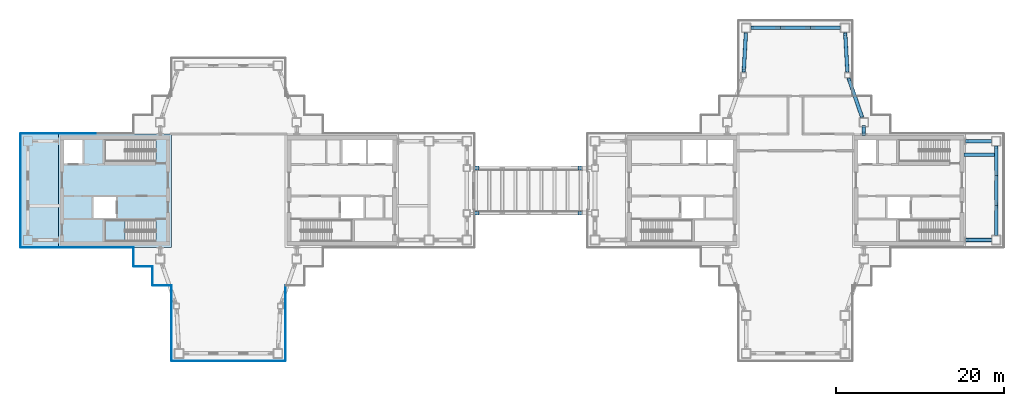
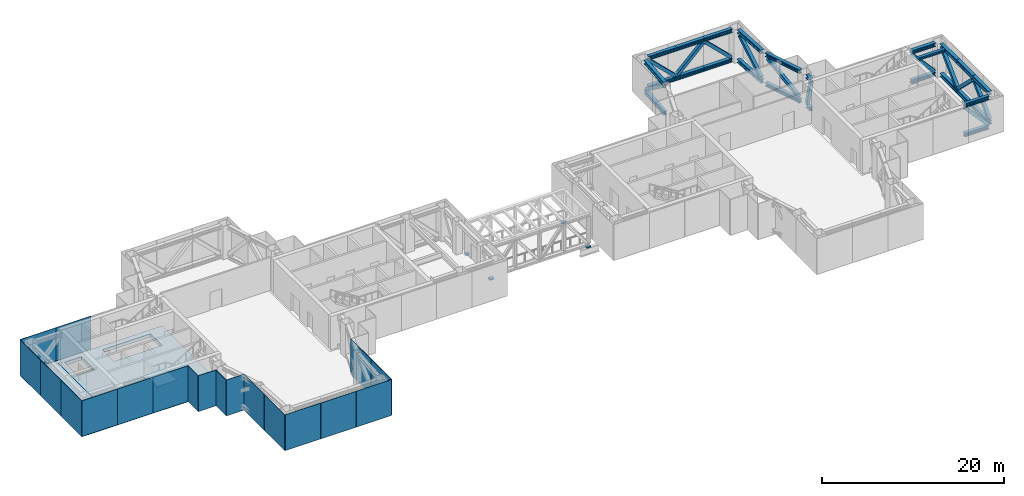
# One storey, part 7 of 21: 40 members, 19 plates, 3 slabs, 1 beam, 10 elements without a shape of their own.
"""IFC4 building model written with IfcOpenShell, lengths in metres."""

from ifc_helpers import new_model, si_unit, direction, frame, origin, origin_2d, place, context, subcontext, project, spatial, polyline, rectangle, hollow_rectangle, i_section, outline, extrude, material, layer, layer_set, material_profile, profile_set, type_object, element, aggregate, save


model = new_model("IFC4")

# Units and contexts
model_context = context("Model", 3, precision=1e-05, world=origin(), true_north=direction((0.0, 1.0)))
body_context = subcontext(model_context, "Body", "Model", "MODEL_VIEW")
ifc_project = project(units=[si_unit("LENGTHUNIT", "METRE"), si_unit("AREAUNIT", "SQUARE_METRE"), si_unit("VOLUMEUNIT", "CUBIC_METRE"), si_unit("PLANEANGLEUNIT", "RADIAN"), si_unit("MASSUNIT", "GRAM", prefix="KILO")], contexts=[model_context])

# Site, building, storey
site_placement = place(None, origin())
site = spatial("IfcSite", under=ifc_project, at=site_placement, CompositionType="ELEMENT")
building_placement = place(site_placement, origin())
building = spatial("IfcBuilding", under=site, at=building_placement, Name="Shamsa Quay Exchange Towers", CompositionType="ELEMENT")
storey_placement = place(building_placement, frame((0.0, 0.0, 177.89990234375)))
storey = spatial("IfcBuildingStorey", under=building, at=storey_placement, Name="L42", CompositionType="ELEMENT", Elevation=177.89990234375)

# Members
ifc_material_1 = material(Name="Steel S355", Category="steel")
ifc_material_profile_1 = material_profile(ifc_material_1, i_section(OverallWidth=0.43212890625, OverallDepth=0.497802734375, WebThickness=0.0556640625, FlangeThickness=0.0888671875, at=origin_2d()), Name="W14x500")
ifc_profile_set_1 = profile_set([ifc_material_profile_1], Name="Steel S355")
member_type_1 = type_object("IfcMemberType", Name="Belt chord W14x500", PredefinedType="CHORD", material=ifc_profile_set_1)
for number, where, z_axis, x_axis, name in (
    (1, (57.625, -5.324951171875, 4.201171875), (0.0, 1.0, 0.0), (-1.0, 0.0, 0.0), "Belt truss chord T2 L42 10"),
    (2, (57.625, -5.324951171875, 0.2490234375), (0.0, 1.0, 0.0), (-1.0, 0.0, 0.0), "Belt truss chord T2 L42 10"),
):
    element("IfcMember", number, at=place(storey_placement, frame(where, z_axis=z_axis, x_axis=x_axis)), inside=storey, type_object=member_type_1, Name=name, PredefinedType="CHORD", context=body_context, shape_type="SweptSolid", body=[
        extrude(i_section(OverallWidth=0.43212890625, OverallDepth=0.497802734375, WebThickness=0.0556640625, FlangeThickness=0.0888671875, at=origin_2d()), origin(), (0.0, 0.0, 1.0), 3.550048828125),
    ])
for number, where, z_axis, x_axis, name in (
    (3, (57.625, -1.77490234375, 4.201171875), (0.0, 1.0, 0.0), (-1.0, 0.0, 0.0), "Belt truss chord T2 L42 10"),
    (4, (57.625, -1.77490234375, 0.2490234375), (0.0, 1.0, 0.0), (-1.0, 0.0, 0.0), "Belt truss chord T2 L42 10"),
):
    element("IfcMember", number, at=place(storey_placement, frame(where, z_axis=z_axis, x_axis=x_axis)), inside=storey, type_object=member_type_1, Name=name, PredefinedType="CHORD", context=body_context, shape_type="SweptSolid", body=[
        extrude(i_section(OverallWidth=0.43212890625, OverallDepth=0.497802734375, WebThickness=0.0556640625, FlangeThickness=0.0888671875, at=origin_2d()), origin(), (0.0, 0.0, 1.0), 3.5498046875),
    ])
for number, where, z_axis, x_axis, name in (
    (5, (57.625, 1.77490234375, 4.201171875), (0.0, 1.0, 0.0), (-1.0, 0.0, 0.0), "Belt truss chord T2 L42 10"),
    (6, (57.625, 1.77490234375, 0.2490234375), (0.0, 1.0, 0.0), (-1.0, 0.0, 0.0), "Belt truss chord T2 L42 10"),
):
    element("IfcMember", number, at=place(storey_placement, frame(where, z_axis=z_axis, x_axis=x_axis)), inside=storey, type_object=member_type_1, Name=name, PredefinedType="CHORD", context=body_context, shape_type="SweptSolid", body=[
        extrude(i_section(OverallWidth=0.43212890625, OverallDepth=0.497802734375, WebThickness=0.0556640625, FlangeThickness=0.0888671875, at=origin_2d()), origin(), (0.0, 0.0, 1.0), 3.550048828125),
    ])
for number, where, z_axis, x_axis, name in (
    (7, (41.685546875, 8.675048828125, 4.201171875), (-0.325644702395, 0.945492214565, 0.0), (-0.945492214565, -0.325644702395, 0.0), "Belt truss chord T2 L42 13"),
    (8, (41.685546875, 8.675048828125, 0.2490234375), (-0.325644702395, 0.945492214565, 0.0), (-0.945492214565, -0.325644702395, 0.0), "Belt truss chord T2 L42 13"),
):
    element("IfcMember", number, at=place(storey_placement, frame(where, z_axis=z_axis, x_axis=x_axis)), inside=storey, type_object=member_type_1, Name=name, PredefinedType="CHORD", context=body_context, shape_type="SweptSolid", body=[
        extrude(i_section(OverallWidth=0.43212890625, OverallDepth=0.497802734375, WebThickness=0.0556640625, FlangeThickness=0.0888671875, at=origin_2d()), origin(), (0.0, 0.0, 1.0), 5.02392578125),
    ])
for number, where, z_axis, x_axis, name in (
    (9, (39.91943359375, 14.074951171875, 4.201171875), (-0.055475704174, 0.998460037381, 0.0), (-0.998460037381, -0.055475704174, 0.0), "Belt truss chord T2 L42 14"),
    (10, (39.91943359375, 14.074951171875, 0.2490234375), (-0.055475704174, 0.998460037381, 0.0), (-0.998460037381, -0.055475704174, 0.0), "Belt truss chord T2 L42 14"),
):
    element("IfcMember", number, at=place(storey_placement, frame(where, z_axis=z_axis, x_axis=x_axis)), inside=storey, type_object=member_type_1, Name=name, PredefinedType="CHORD", context=body_context, shape_type="SweptSolid", body=[
        extrude(i_section(OverallWidth=0.43212890625, OverallDepth=0.497802734375, WebThickness=0.0556640625, FlangeThickness=0.0888671875, at=origin_2d()), origin(), (0.0, 0.0, 1.0), 4.75732421875),
    ])
for number, where, z_axis, x_axis, name in (
    (11, (39.074951171875, 19.375, 4.201171875), (-1.0, 0.0, 0.0), (0.0, -1.0, 0.0), "Belt truss chord T2 L42 15"),
    (12, (39.074951171875, 19.375, 0.2490234375), (-1.0, 0.0, 0.0), (0.0, -1.0, 0.0), "Belt truss chord T2 L42 15"),
):
    element("IfcMember", number, at=place(storey_placement, frame(where, z_axis=z_axis, x_axis=x_axis)), inside=storey, type_object=member_type_1, Name=name, PredefinedType="CHORD", context=body_context, shape_type="SweptSolid", body=[
        extrude(i_section(OverallWidth=0.43212890625, OverallDepth=0.497802734375, WebThickness=0.0556640625, FlangeThickness=0.0888671875, at=origin_2d()), origin(), (0.0, 0.0, 1.0), 3.550048828125),
    ])
for number, where, z_axis, x_axis, name in (
    (13, (35.52490234375, 19.375, 4.201171875), (-1.0, 0.0, 0.0), (0.0, -1.0, 0.0), "Belt truss chord T2 L42 15"),
    (14, (35.52490234375, 19.375, 0.2490234375), (-1.0, 0.0, 0.0), (0.0, -1.0, 0.0), "Belt truss chord T2 L42 15"),
):
    element("IfcMember", number, at=place(storey_placement, frame(where, z_axis=z_axis, x_axis=x_axis)), inside=storey, type_object=member_type_1, Name=name, PredefinedType="CHORD", context=body_context, shape_type="SweptSolid", body=[
        extrude(i_section(OverallWidth=0.43212890625, OverallDepth=0.497802734375, WebThickness=0.0556640625, FlangeThickness=0.0888671875, at=origin_2d()), origin(), (0.0, 0.0, 1.0), 3.5498046875),
    ])
for number, where, z_axis, x_axis, name in (
    (15, (31.97509765625, 19.375, 4.201171875), (-1.0, 0.0, 0.0), (0.0, -1.0, 0.0), "Belt truss chord T2 L42 15"),
    (16, (31.97509765625, 19.375, 0.2490234375), (-1.0, 0.0, 0.0), (0.0, -1.0, 0.0), "Belt truss chord T2 L42 15"),
):
    element("IfcMember", number, at=place(storey_placement, frame(where, z_axis=z_axis, x_axis=x_axis)), inside=storey, type_object=member_type_1, Name=name, PredefinedType="CHORD", context=body_context, shape_type="SweptSolid", body=[
        extrude(i_section(OverallWidth=0.43212890625, OverallDepth=0.497802734375, WebThickness=0.0556640625, FlangeThickness=0.0888671875, at=origin_2d()), origin(), (0.0, 0.0, 1.0), 3.550048828125),
    ])
for number, where, z_axis, x_axis, name in (
    (17, (27.844482421875, 18.824951171875, 4.201171875), (-0.055475704174, -0.998460037381, 0.0), (0.998460037381, -0.055475704174, 0.0), "Belt truss chord T2 L42 16"),
    (18, (27.844482421875, 18.824951171875, 0.2490234375), (-0.055475704174, -0.998460037381, 0.0), (0.998460037381, -0.055475704174, 0.0), "Belt truss chord T2 L42 16"),
):
    element("IfcMember", number, at=place(storey_placement, frame(where, z_axis=z_axis, x_axis=x_axis)), inside=storey, type_object=member_type_1, Name=name, PredefinedType="CHORD", context=body_context, shape_type="SweptSolid", body=[
        extrude(i_section(OverallWidth=0.43212890625, OverallDepth=0.497802734375, WebThickness=0.0556640625, FlangeThickness=0.0888671875, at=origin_2d()), origin(), (0.0, 0.0, 1.0), 4.75732421875),
    ])
ifc_material_profile_2 = material_profile(ifc_material_1, hollow_rectangle(XDim=0.406494140625, YDim=0.406494140625, WallThickness=0.015869140625, at=origin_2d()), Name="HSS16x16x5/8")
ifc_profile_set_2 = profile_set([ifc_material_profile_2], Name="Steel S355")
member_type_2 = type_object("IfcMemberType", Name="Belt diagonal HSS16x16x5/8", PredefinedType="BRACE", material=ifc_profile_set_2)
member_1_placement = place(storey_placement, frame((57.625, -5.17529296875, 0.6435546875), z_axis=(0.0, 0.716702662829, 0.697378873421), x_axis=(-1.0, 0.0, 0.0)))
element("IfcMember", 19, at=member_1_placement, inside=storey, type_object=member_type_2, Name="Belt truss diagonal T2 L42 10", PredefinedType="BRACE", context=body_context, shape_type="SweptSolid", body=[
    extrude(hollow_rectangle(XDim=0.406494140625, YDim=0.406494140625, WallThickness=0.015869140625, at=origin_2d()), origin(), (0.0, 0.0, 1.0), 4.53564453125),
])
member_2_placement = place(storey_placement, frame((57.625, 1.625244140625, 0.6435546875), z_axis=(0.0, -0.716676483376, 0.697405777274), x_axis=(1.0, 0.0, 0.0)))
element("IfcMember", 20, at=member_2_placement, inside=storey, type_object=member_type_2, Name="Belt truss diagonal T2 L42 10", PredefinedType="BRACE", context=body_context, shape_type="SweptSolid", body=[
    extrude(hollow_rectangle(XDim=0.406494140625, YDim=0.406494140625, WallThickness=0.015869140625, at=origin_2d()), origin(), (0.0, 0.0, 1.0), 4.535400390625),
])
member_3_placement = place(storey_placement, frame((57.625, 1.924560546875, 0.6435546875), z_axis=(0.0, 0.716702662829, 0.697378873421), x_axis=(-1.0, 0.0, 0.0)))
element("IfcMember", 21, at=member_3_placement, inside=storey, type_object=member_type_2, Name="Belt truss diagonal T2 L42 10", PredefinedType="BRACE", context=body_context, shape_type="SweptSolid", body=[
    extrude(hollow_rectangle(XDim=0.406494140625, YDim=0.406494140625, WallThickness=0.015869140625, at=origin_2d()), origin(), (0.0, 0.0, 1.0), 4.53564453125),
])
member_4_placement = place(storey_placement, frame((41.606201171875, 8.9052734375, 0.665283203125), z_axis=(-0.268353303988, 0.779075933751, 0.566592617044), x_axis=(-0.945482725754, -0.325672251352, 0.0)))
element("IfcMember", 22, at=member_4_placement, inside=storey, type_object=member_type_2, Name="Belt truss diagonal T2 L42 13", PredefinedType="BRACE", context=body_context, shape_type="SweptSolid", body=[
    extrude(hollow_rectangle(XDim=0.406494140625, YDim=0.406494140625, WallThickness=0.015869140625, at=origin_2d()), origin(), (0.0, 0.0, 1.0), 5.505859375),
])
member_5_placement = place(storey_placement, frame((39.906982421875, 14.301025390625, 0.662353515625), z_axis=(-0.044885601802, 0.807940832433, 0.58755160968), x_axis=(-0.998460353205, -0.055470019623, 0.0)))
element("IfcMember", 23, at=member_5_placement, inside=storey, type_object=member_type_2, Name="Belt truss diagonal T2 L42 14", PredefinedType="BRACE", context=body_context, shape_type="SweptSolid", body=[
    extrude(hollow_rectangle(XDim=0.406494140625, YDim=0.406494140625, WallThickness=0.015869140625, at=origin_2d()), origin(), (0.0, 0.0, 1.0), 5.319580078125),
])
member_6_placement = place(storey_placement, frame((38.92529296875, 19.375, 0.6435546875), z_axis=(-0.716702662829, 0.0, 0.697378873421), x_axis=(0.0, -1.0, 0.0)))
element("IfcMember", 24, at=member_6_placement, inside=storey, type_object=member_type_2, Name="Belt truss diagonal T2 L42 15", PredefinedType="BRACE", context=body_context, shape_type="SweptSolid", body=[
    extrude(hollow_rectangle(XDim=0.406494140625, YDim=0.406494140625, WallThickness=0.015869140625, at=origin_2d()), origin(), (0.0, 0.0, 1.0), 4.53564453125),
])
member_7_placement = place(storey_placement, frame((32.124755859375, 19.375, 0.6435546875), z_axis=(0.716676483376, 0.0, 0.697405777274), x_axis=(0.0, 1.0, 0.0)))
element("IfcMember", 25, at=member_7_placement, inside=storey, type_object=member_type_2, Name="Belt truss diagonal T2 L42 15", PredefinedType="BRACE", context=body_context, shape_type="SweptSolid", body=[
    extrude(hollow_rectangle(XDim=0.406494140625, YDim=0.406494140625, WallThickness=0.015869140625, at=origin_2d()), origin(), (0.0, 0.0, 1.0), 4.535400390625),
])
member_8_placement = place(storey_placement, frame((31.825439453125, 19.375, 0.6435546875), z_axis=(-0.716702662829, 0.0, 0.697378873421), x_axis=(0.0, -1.0, 0.0)))
element("IfcMember", 26, at=member_8_placement, inside=storey, type_object=member_type_2, Name="Belt truss diagonal T2 L42 15", PredefinedType="BRACE", context=body_context, shape_type="SweptSolid", body=[
    extrude(hollow_rectangle(XDim=0.406494140625, YDim=0.406494140625, WallThickness=0.015869140625, at=origin_2d()), origin(), (0.0, 0.0, 1.0), 4.53564453125),
])
member_9_placement = place(storey_placement, frame((27.831787109375, 18.598876953125, 0.662353515625), z_axis=(-0.044885601802, -0.807940832433, 0.58755160968), x_axis=(0.998460353205, -0.055470019623, 0.0)))
element("IfcMember", 27, at=member_9_placement, inside=storey, type_object=member_type_2, Name="Belt truss diagonal T2 L42 16", PredefinedType="BRACE", context=body_context, shape_type="SweptSolid", body=[
    extrude(hollow_rectangle(XDim=0.406494140625, YDim=0.406494140625, WallThickness=0.015869140625, at=origin_2d()), origin(), (0.0, 0.0, 1.0), 5.319580078125),
])

# Beam
ifc_material_profile_3 = material_profile(ifc_material_1, i_section(OverallWidth=0.368896484375, OverallDepth=0.356201171875, WebThickness=0.01123046875, FlangeThickness=0.01806640625, at=origin_2d()), Name="W14x90")
ifc_profile_set_3 = profile_set([ifc_material_profile_3], Name="Steel S355")
beam_type = type_object("IfcBeamType", Name="End-zone beam W14x90", PredefinedType="BEAM", material=ifc_profile_set_3)
beam_placement = place(storey_placement, frame((53.800048828125, 4.27490234375, 4.27197265625), z_axis=(1.0, 0.0, 0.0), x_axis=(0.0, 1.0, 0.0)))
element("IfcBeam", 28, at=beam_placement, inside=storey, type_object=beam_type, Name="Spine beam T2 V- end zone L42", PredefinedType="BEAM", context=body_context, shape_type="SweptSolid", body=[
    extrude(i_section(OverallWidth=0.368896484375, OverallDepth=0.356201171875, WebThickness=0.01123046875, FlangeThickness=0.01806640625, at=origin_2d()), origin(), (0.0, 0.0, 1.0), 3.60888671875),
])

# Members
ifc_material_profile_4 = material_profile(ifc_material_1, i_section(OverallWidth=0.43212890625, OverallDepth=0.497802734375, WebThickness=0.0556640625, FlangeThickness=0.0888671875, at=origin_2d()), Name="W14x500")
ifc_profile_set_4 = profile_set([ifc_material_profile_4], Name="Steel S355")
member_type_3 = type_object("IfcMemberType", Name="Outrigger chord W14x500", PredefinedType="CHORD", material=ifc_profile_set_4)
for number, where, z_axis, x_axis, name in (
    (29, (57.074951171875, -5.875, 4.201171875), (-1.0, 0.0, 0.0), (0.0, -1.0, 0.0), "Outrigger truss chord T2 L42 9"),
    (30, (57.074951171875, -5.875, 0.2490234375), (-1.0, 0.0, 0.0), (0.0, -1.0, 0.0), "Outrigger truss chord T2 L42 9"),
    (31, (57.074951171875, 5.875, 4.201171875), (-1.0, 0.0, 0.0), (0.0, -1.0, 0.0), "Outrigger truss chord T2 L42 11"),
    (32, (57.074951171875, 5.875, 0.2490234375), (-1.0, 0.0, 0.0), (0.0, -1.0, 0.0), "Outrigger truss chord T2 L42 11"),
):
    element("IfcMember", number, at=place(storey_placement, frame(where, z_axis=z_axis, x_axis=x_axis)), inside=storey, type_object=member_type_3, Name=name, PredefinedType="CHORD", context=body_context, shape_type="SweptSolid", body=[
        extrude(i_section(OverallWidth=0.43212890625, OverallDepth=0.497802734375, WebThickness=0.0556640625, FlangeThickness=0.0888671875, at=origin_2d()), origin(), (0.0, 0.0, 1.0), 3.074951171875),
    ])
for number, where, z_axis, x_axis, name in (
    (33, (41.875, 7.574951171875, 4.201171875), (0.0, -1.0, 0.0), (1.0, 0.0, 0.0), "Outrigger truss chord T2 L42 12"),
    (34, (41.875, 7.574951171875, 0.2490234375), (0.0, -1.0, 0.0), (1.0, 0.0, 0.0), "Outrigger truss chord T2 L42 12"),
):
    element("IfcMember", number, at=place(storey_placement, frame(where, z_axis=z_axis, x_axis=x_axis)), inside=storey, type_object=member_type_3, Name=name, PredefinedType="CHORD", context=body_context, shape_type="SweptSolid", body=[
        extrude(i_section(OverallWidth=0.43212890625, OverallDepth=0.497802734375, WebThickness=0.0556640625, FlangeThickness=0.0888671875, at=origin_2d()), origin(), (0.0, 0.0, 1.0), 0.824951171875),
    ])
ifc_material_profile_5 = material_profile(ifc_material_1, hollow_rectangle(XDim=0.406494140625, YDim=0.406494140625, WallThickness=0.015869140625, at=origin_2d()), Name="HSS16x16x5/8")
ifc_profile_set_5 = profile_set([ifc_material_profile_5], Name="Steel S355")
member_type_4 = type_object("IfcMemberType", Name="Outrigger diagonal HSS16x16x5/8", PredefinedType="BRACE", material=ifc_profile_set_5)
for number, where, z_axis, x_axis, name in (
    (35, (56.954833984375, -5.875, 0.633056640625), (-0.664911088094, 0.0, 0.746922516014), (0.0, -1.0, 0.0), "Outrigger truss diagonal T2 L42 9"),
    (36, (56.954833984375, 5.875, 0.633056640625), (-0.664911088094, 0.0, 0.746922516014), (0.0, -1.0, 0.0), "Outrigger truss diagonal T2 L42 11"),
):
    element("IfcMember", number, at=place(storey_placement, frame(where, z_axis=z_axis, x_axis=x_axis)), inside=storey, type_object=member_type_4, Name=name, PredefinedType="BRACE", context=body_context, shape_type="SweptSolid", body=[
        extrude(hollow_rectangle(XDim=0.406494140625, YDim=0.406494140625, WallThickness=0.015869140625, at=origin_2d()), origin(), (0.0, 0.0, 1.0), 4.262939453125),
    ])
member_10_placement = place(storey_placement, frame((41.875, 7.563720703125, 0.545166015625), z_axis=(0.0, -0.232311606124, 0.97264141268), x_axis=(1.0, 0.0, 0.0)))
element("IfcMember", 37, at=member_10_placement, inside=storey, type_object=member_type_4, Name="Outrigger truss diagonal T2 L42 12", PredefinedType="BRACE", context=body_context, shape_type="SweptSolid", body=[
    extrude(hollow_rectangle(XDim=0.406494140625, YDim=0.406494140625, WallThickness=0.015869140625, at=origin_2d()), origin(), (0.0, 0.0, 1.0), 3.454345703125),
])
ifc_material_profile_6 = material_profile(ifc_material_1, rectangle(XDim=0.5, YDim=0.199951171875, at=origin_2d()), Name="500x200")
ifc_profile_set_6 = profile_set([ifc_material_profile_6], Name="Steel S355")
member_type_5 = type_object("IfcMemberType", Name="PTFE sliding bearing", PredefinedType="USERDEFINED", material=ifc_profile_set_6)
for number, where, name in (
    (38, (8.10009765625, -2.699951171875, -0.7177734375), "Sliding bearing BR3 T2 S"),
    (39, (8.10009765625, 2.699951171875, -0.7177734375), "Sliding bearing BR3 T2 N"),
):
    element("IfcMember", number, at=place(storey_placement, frame(where)), inside=storey, type_object=member_type_5, Name=name, ObjectType="BEARING", PredefinedType="USERDEFINED", context=body_context, shape_type="SweptSolid", body=[
        extrude(rectangle(XDim=0.5, YDim=0.449951171875, at=origin_2d()), origin(), (0.0, 0.0, 1.0), 0.199951171875),
    ])
ifc_material_profile_7 = material_profile(ifc_material_1, rectangle(XDim=0.5, YDim=0.199951171875, at=origin_2d()), Name="500x200")
ifc_profile_set_7 = profile_set([ifc_material_profile_7], Name="Steel S355")
member_type_6 = type_object("IfcMemberType", Name="Pot bearing, fixed", PredefinedType="USERDEFINED", material=ifc_profile_set_7)
for number, where, name in (
    (40, (-4.199951171875, -2.699951171875, -0.7177734375), "Fixed bearing BR3 T1 S"),
    (41, (-4.199951171875, 2.699951171875, -0.7177734375), "Fixed bearing BR3 T1 N"),
):
    element("IfcMember", number, at=place(storey_placement, frame(where)), inside=storey, type_object=member_type_6, Name=name, ObjectType="BEARING", PredefinedType="USERDEFINED", context=body_context, shape_type="SweptSolid", body=[
        extrude(rectangle(XDim=0.5, YDim=0.449951171875, at=origin_2d()), origin(), (0.0, 0.0, 1.0), 0.199951171875),
    ])

# Slab
ifc_material_2 = material(Name="Concrete C50/60", Category="concrete")
ifc_layer_1 = layer(ifc_material_2, 0.449951171875)
ifc_layer_set_1 = layer_set([ifc_layer_1], Name="CORE FLOOR 450 C50/60")
slab_type_1 = type_object("IfcSlabType", Name="CORE FLOOR 450 C50/60", PredefinedType="FLOOR", material=ifc_layer_set_1)
slab_1_placement = place(storey_placement, frame((0.0, 0.0, -0.449951171875)))
element("IfcSlab", 42, at=slab_1_placement, inside=storey, type_object=slab_type_1, Name="Core floor T1B", PredefinedType="FLOOR", context=body_context, shape_type="SweptSolid", body=[
    extrude(outline(polyline([(-40.5, -6.75), (-40.5, 6.75), (-54.0, 6.75), (-54.0, -6.75), (-40.5, -6.75)]), holes=[polyline([(-42.400634765625, -3.5), (-42.400634765625, -6.050048828125), (-48.5, -6.050048828125), (-48.5, -3.5), (-42.400634765625, -3.5)]), polyline([(-42.400634765625, 6.050048828125), (-42.400634765625, 3.5), (-48.5, 3.5), (-48.5, 6.050048828125), (-42.400634765625, 6.050048828125)]), polyline([(-51.14990234375, 3.25), (-53.300048828125, 3.25), (-53.300048828125, 6.050048828125), (-51.14990234375, 6.050048828125), (-51.14990234375, 3.25)]), polyline([(-47.14990234375, -3.25), (-49.800048828125, -3.25), (-49.800048828125, -0.75), (-47.14990234375, -0.75), (-47.14990234375, -3.25)])]), origin(), (0.0, 0.0, 1.0), 0.449951171875),
])

# Stair, slab
ifc_material_3 = material(Name="Concrete C40/50", Category="concrete")
stair_type = type_object("IfcStairType", Name="EXIT STAIR 28 RISERS 171 MM", PredefinedType="HALF_TURN_STAIR", material=ifc_material_3)
stair_placement = place(storey_placement, origin())
stair = element("IfcStair", 43, at=stair_placement, inside=storey, type_object=stair_type, Name="L42 Exit stair ST2", PredefinedType="HALF_TURN_STAIR")
ifc_layer_2 = layer(ifc_material_3, 0.199951171875)
ifc_layer_set_2 = layer_set([ifc_layer_2], Name="CORE STAIR LANDING")
slab_type_2 = type_object("IfcSlabType", Name="CORE STAIR LANDING", PredefinedType="LANDING", material=ifc_layer_set_2)
slab_2_placement = place(storey_placement, frame((0.0, 0.0, 2.2001953125)))
slab_2 = element("IfcSlab", 44, at=slab_2_placement, type_object=slab_type_2, Name="ST2 landing 1", PredefinedType="LANDING", context=body_context, shape_type="SweptSolid", body=[
    extrude(outline(polyline([(-46.0400390625, -3.5), (-48.5, -3.5), (-48.5, -6.050048828125), (-46.0400390625, -6.050048828125), (-46.0400390625, -3.5)])), origin(), (0.0, 0.0, 1.0), 0.199951171875),
])
aggregate(stair, [slab_2])

# Curtain wall, plates
ifc_material_4 = material(Name="Aluminium EN AW-6063 T6, black anodised", Category="aluminium")
ifc_layer_3 = layer(ifc_material_4, 0.320068359375)
ifc_layer_set_3 = layer_set([ifc_layer_3], Name="CW-7 BELT-LEVEL LOUVRE PANEL WALL")
curtain_wall_type = type_object("IfcCurtainWallType", Name="CW-7 BELT-LEVEL LOUVRE PANEL WALL", PredefinedType="NOTDEFINED", material=ifc_layer_set_3)
curtain_wall_1_placement = place(storey_placement, origin())
curtain_wall_1 = element("IfcCurtainWall", 45, at=curtain_wall_1_placement, inside=storey, type_object=curtain_wall_type, Name="CW7 T1-FLK-V-W L42", PredefinedType="NOTDEFINED")
ifc_material_5 = material(Name="Aluminium louvre panel, black anodised, with insulated fire-rated backing", Category="aluminium")
ifc_layer_4 = layer(ifc_material_5, 0.06005859375)
ifc_layer_set_4 = layer_set([ifc_layer_4], Name="CW-7 LOUVRE PANEL 60")
plate_type = type_object("IfcPlateType", Name="CW-7 LOUVRE PANEL 60", PredefinedType="CURTAIN_PANEL", material=ifc_layer_set_4)
plate_1_placement = place(storey_placement, frame((-40.530029296875, -13.5439453125, -0.35009765625), z_axis=(0.0, 0.0, 1.0), x_axis=(0.0, -1.0, 0.0)))
plate_1 = element("IfcPlate", 46, at=plate_1_placement, type_object=plate_type, Name="CW7 glass panel", PredefinedType="CURTAIN_PANEL", context=body_context, shape_type="SweptSolid", body=[
    extrude(rectangle(XDim=4.464111328125, YDim=0.06005859375, at=origin_2d()), origin(), (0.0, 0.0, 1.0), 4.800048828125),
])
plate_2_placement = place(storey_placement, frame((-40.530029296875, -18.01806640625, -0.35009765625), z_axis=(0.0, 0.0, 1.0), x_axis=(0.0, -1.0, 0.0)))
plate_2 = element("IfcPlate", 47, at=plate_2_placement, type_object=plate_type, Name="CW7 glass panel", PredefinedType="CURTAIN_PANEL", context=body_context, shape_type="SweptSolid", body=[
    extrude(rectangle(XDim=4.464111328125, YDim=0.06005859375, at=origin_2d()), origin(), (0.0, 0.0, 1.0), 4.800048828125),
])
aggregate(curtain_wall_1, [plate_1, plate_2])

curtain_wall_2_placement = place(storey_placement, origin())
curtain_wall_2 = element("IfcCurtainWall", 48, at=curtain_wall_2_placement, inside=storey, type_object=curtain_wall_type, Name="CW7 T1-END-V- L42", PredefinedType="NOTDEFINED")
plate_3_placement = place(storey_placement, frame((-38.25244140625, -20.280029296875, -0.35009765625)))
plate_3 = element("IfcPlate", 49, at=plate_3_placement, type_object=plate_type, Name="CW7 glass panel", PredefinedType="CURTAIN_PANEL", context=body_context, shape_type="SweptSolid", body=[
    extrude(rectangle(XDim=4.4951171875, YDim=0.06005859375, at=origin_2d()), origin(), (0.0, 0.0, 1.0), 4.800048828125),
])
plate_4_placement = place(storey_placement, frame((-33.75, -20.280029296875, -0.35009765625)))
plate_4 = element("IfcPlate", 50, at=plate_4_placement, type_object=plate_type, Name="CW7 glass panel", PredefinedType="CURTAIN_PANEL", context=body_context, shape_type="SweptSolid", body=[
    extrude(rectangle(XDim=4.489990234375, YDim=0.06005859375, at=origin_2d()), origin(), (0.0, 0.0, 1.0), 4.800048828125),
])
plate_5_placement = place(storey_placement, frame((-29.24755859375, -20.280029296875, -0.35009765625)))
plate_5 = element("IfcPlate", 51, at=plate_5_placement, type_object=plate_type, Name="CW7 glass panel", PredefinedType="CURTAIN_PANEL", context=body_context, shape_type="SweptSolid", body=[
    extrude(rectangle(XDim=4.4951171875, YDim=0.06005859375, at=origin_2d()), origin(), (0.0, 0.0, 1.0), 4.800048828125),
])
aggregate(curtain_wall_2, [plate_3, plate_4, plate_5])

curtain_wall_3_placement = place(storey_placement, origin())
curtain_wall_3 = element("IfcCurtainWall", 52, at=curtain_wall_3_placement, inside=storey, type_object=curtain_wall_type, Name="CW7 T1-FLK-V-E L42", PredefinedType="NOTDEFINED")
plate_6_placement = place(storey_placement, frame((-26.969970703125, -18.00244140625, -0.35009765625), z_axis=(0.0, 0.0, 1.0), x_axis=(0.0, 1.0, 0.0)))
plate_6 = element("IfcPlate", 53, at=plate_6_placement, type_object=plate_type, Name="CW7 glass panel", PredefinedType="CURTAIN_PANEL", context=body_context, shape_type="SweptSolid", body=[
    extrude(rectangle(XDim=4.4951171875, YDim=0.06005859375, at=origin_2d()), origin(), (0.0, 0.0, 1.0), 4.800048828125),
])
plate_7_placement = place(storey_placement, frame((-26.969970703125, -13.49755859375, -0.35009765625), z_axis=(0.0, 0.0, 1.0), x_axis=(0.0, 1.0, 0.0)))
plate_7 = element("IfcPlate", 54, at=plate_7_placement, type_object=plate_type, Name="CW7 glass panel", PredefinedType="CURTAIN_PANEL", context=body_context, shape_type="SweptSolid", body=[
    extrude(rectangle(XDim=4.4951171875, YDim=0.06005859375, at=origin_2d()), origin(), (0.0, 0.0, 1.0), 4.800048828125),
])
aggregate(curtain_wall_3, [plate_6, plate_7])

# Curtain wall, plate
curtain_wall_4_placement = place(storey_placement, origin())
curtain_wall_4 = element("IfcCurtainWall", 55, at=curtain_wall_4_placement, inside=storey, type_object=curtain_wall_type, Name="CW7 T1-FLK-U-N L42", PredefinedType="NOTDEFINED")
plate_8_placement = place(storey_placement, frame((-51.76806640625, 6.780029296875, -0.35009765625), z_axis=(0.0, 0.0, 1.0), x_axis=(-1.0, 0.0, 0.0)))
plate_8 = element("IfcPlate", 56, at=plate_8_placement, type_object=plate_type, Name="CW7 glass panel", PredefinedType="CURTAIN_PANEL", context=body_context, shape_type="SweptSolid", body=[
    extrude(rectangle(XDim=4.464111328125, YDim=0.06005859375, at=origin_2d()), origin(), (0.0, 0.0, 1.0), 4.800048828125),
])
aggregate(curtain_wall_4, [plate_8])

curtain_wall_5_placement = place(storey_placement, origin())
curtain_wall_5 = element("IfcCurtainWall", 57, at=curtain_wall_5_placement, inside=storey, type_object=curtain_wall_type, Name="CW7 T1-FLK-U-N L42", PredefinedType="NOTDEFINED")
plate_9_placement = place(storey_placement, frame((-56.25, 6.780029296875, -0.35009765625), z_axis=(0.0, 0.0, 1.0), x_axis=(-1.0, 0.0, 0.0)))
plate_9 = element("IfcPlate", 58, at=plate_9_placement, type_object=plate_type, Name="CW7 glass panel", PredefinedType="CURTAIN_PANEL", context=body_context, shape_type="SweptSolid", body=[
    extrude(rectangle(XDim=4.5, YDim=0.06005859375, at=origin_2d()), origin(), (0.0, 0.0, 1.0), 4.800048828125),
])
aggregate(curtain_wall_5, [plate_9])

# Curtain wall, plates
curtain_wall_6_placement = place(storey_placement, origin())
curtain_wall_6 = element("IfcCurtainWall", 59, at=curtain_wall_6_placement, inside=storey, type_object=curtain_wall_type, Name="CW7 T1-END-U- L42", PredefinedType="NOTDEFINED")
plate_10_placement = place(storey_placement, frame((-58.530029296875, 4.50244140625, -0.35009765625), z_axis=(0.0, 0.0, 1.0), x_axis=(0.0, -1.0, 0.0)))
plate_10 = element("IfcPlate", 60, at=plate_10_placement, type_object=plate_type, Name="CW7 glass panel", PredefinedType="CURTAIN_PANEL", context=body_context, shape_type="SweptSolid", body=[
    extrude(rectangle(XDim=4.4951171875, YDim=0.06005859375, at=origin_2d()), origin(), (0.0, 0.0, 1.0), 4.800048828125),
])
plate_11_placement = place(storey_placement, frame((-58.530029296875, 0.0, -0.35009765625), z_axis=(0.0, 0.0, 1.0), x_axis=(0.0, -1.0, 0.0)))
plate_11 = element("IfcPlate", 61, at=plate_11_placement, type_object=plate_type, Name="CW7 glass panel", PredefinedType="CURTAIN_PANEL", context=body_context, shape_type="SweptSolid", body=[
    extrude(rectangle(XDim=4.489990234375, YDim=0.06005859375, at=origin_2d()), origin(), (0.0, 0.0, 1.0), 4.800048828125),
])
plate_12_placement = place(storey_placement, frame((-58.530029296875, -4.50244140625, -0.35009765625), z_axis=(0.0, 0.0, 1.0), x_axis=(0.0, -1.0, 0.0)))
plate_12 = element("IfcPlate", 62, at=plate_12_placement, type_object=plate_type, Name="CW7 glass panel", PredefinedType="CURTAIN_PANEL", context=body_context, shape_type="SweptSolid", body=[
    extrude(rectangle(XDim=4.4951171875, YDim=0.06005859375, at=origin_2d()), origin(), (0.0, 0.0, 1.0), 4.800048828125),
])
aggregate(curtain_wall_6, [plate_10, plate_11, plate_12])

# Curtain wall, plate
curtain_wall_7_placement = place(storey_placement, origin())
curtain_wall_7 = element("IfcCurtainWall", 63, at=curtain_wall_7_placement, inside=storey, type_object=curtain_wall_type, Name="CW7 T1-FLK-U-S L42", PredefinedType="NOTDEFINED")
plate_13_placement = place(storey_placement, frame((-56.25, -6.780029296875, -0.35009765625)))
plate_13 = element("IfcPlate", 64, at=plate_13_placement, type_object=plate_type, Name="CW7 glass panel", PredefinedType="CURTAIN_PANEL", context=body_context, shape_type="SweptSolid", body=[
    extrude(rectangle(XDim=4.5, YDim=0.06005859375, at=origin_2d()), origin(), (0.0, 0.0, 1.0), 4.800048828125),
])
aggregate(curtain_wall_7, [plate_13])

# Curtain wall, plates
curtain_wall_8_placement = place(storey_placement, origin())
curtain_wall_8 = element("IfcCurtainWall", 65, at=curtain_wall_8_placement, inside=storey, type_object=curtain_wall_type, Name="CW7 T1-FLK-U-S L42", PredefinedType="NOTDEFINED")
plate_14_placement = place(storey_placement, frame((-51.75244140625, -6.780029296875, -0.35009765625)))
plate_14 = element("IfcPlate", 66, at=plate_14_placement, type_object=plate_type, Name="CW7 glass panel", PredefinedType="CURTAIN_PANEL", context=body_context, shape_type="SweptSolid", body=[
    extrude(rectangle(XDim=4.4951171875, YDim=0.06005859375, at=origin_2d()), origin(), (0.0, 0.0, 1.0), 4.800048828125),
])
plate_15_placement = place(storey_placement, frame((-47.24755859375, -6.780029296875, -0.35009765625)))
plate_15 = element("IfcPlate", 67, at=plate_15_placement, type_object=plate_type, Name="CW7 glass panel", PredefinedType="CURTAIN_PANEL", context=body_context, shape_type="SweptSolid", body=[
    extrude(rectangle(XDim=4.4951171875, YDim=0.06005859375, at=origin_2d()), origin(), (0.0, 0.0, 1.0), 4.800048828125),
])
aggregate(curtain_wall_8, [plate_14, plate_15])

curtain_wall_9_placement = place(storey_placement, origin())
curtain_wall_9 = element("IfcCurtainWall", 68, at=curtain_wall_9_placement, inside=storey, type_object=curtain_wall_type, Name="CW7 PKWS L42", PredefinedType="NOTDEFINED")
plate_16_placement = place(storey_placement, frame((-42.780029296875, -10.156005859375, -0.35009765625), z_axis=(0.0, 0.0, 1.0), x_axis=(0.0, -1.0, 0.0)))
plate_16 = element("IfcPlate", 69, at=plate_16_placement, type_object=plate_type, Name="CW7 glass panel", PredefinedType="CURTAIN_PANEL", context=body_context, shape_type="SweptSolid", body=[
    extrude(rectangle(XDim=2.18798828125, YDim=0.06005859375, at=origin_2d()), origin(), (0.0, 0.0, 1.0), 4.800048828125),
])
plate_17_placement = place(storey_placement, frame((-41.625, -11.280029296875, -0.35009765625)))
plate_17 = element("IfcPlate", 70, at=plate_17_placement, type_object=plate_type, Name="CW7 glass panel", PredefinedType="CURTAIN_PANEL", context=body_context, shape_type="SweptSolid", body=[
    extrude(rectangle(XDim=2.25, YDim=0.06005859375, at=origin_2d()), origin(), (0.0, 0.0, 1.0), 4.800048828125),
])
plate_18_placement = place(storey_placement, frame((-45.030029296875, -7.906005859375, -0.35009765625), z_axis=(0.0, 0.0, 1.0), x_axis=(0.0, -1.0, 0.0)))
plate_18 = element("IfcPlate", 71, at=plate_18_placement, type_object=plate_type, Name="CW7 glass panel", PredefinedType="CURTAIN_PANEL", context=body_context, shape_type="SweptSolid", body=[
    extrude(rectangle(XDim=2.18798828125, YDim=0.06005859375, at=origin_2d()), origin(), (0.0, 0.0, 1.0), 4.800048828125),
])
plate_19_placement = place(storey_placement, frame((-43.875, -9.030029296875, -0.35009765625)))
plate_19 = element("IfcPlate", 72, at=plate_19_placement, type_object=plate_type, Name="CW7 glass panel", PredefinedType="CURTAIN_PANEL", context=body_context, shape_type="SweptSolid", body=[
    extrude(rectangle(XDim=2.25, YDim=0.06005859375, at=origin_2d()), origin(), (0.0, 0.0, 1.0), 4.800048828125),
])
aggregate(curtain_wall_9, [plate_16, plate_17, plate_18, plate_19])

# Slab
ifc_layer_5 = layer(ifc_material_3, 0.449951171875)
ifc_layer_set_5 = layer_set([ifc_layer_5], Name="Flat slab 450")
slab_type_3 = type_object("IfcSlabType", Name="Flat slab 450", PredefinedType="FLOOR", material=ifc_layer_set_5)
slab_3_placement = place(storey_placement, frame((0.0, 0.0, -0.449951171875)))
element("IfcSlab", 73, at=slab_3_placement, inside=storey, type_object=slab_type_3, Name="Flat slab T1 L42 1", PredefinedType="FLOOR", context=body_context, shape_type="SweptSolid", body=[
    extrude(outline(polyline([(-58.5, -6.75), (-54.0, -6.75), (-54.0, 6.75), (-58.5, 6.75), (-58.5, -6.75)])), origin(), (0.0, 0.0, 1.0), 0.449951171875),
])

save(model, "model.ifc")
